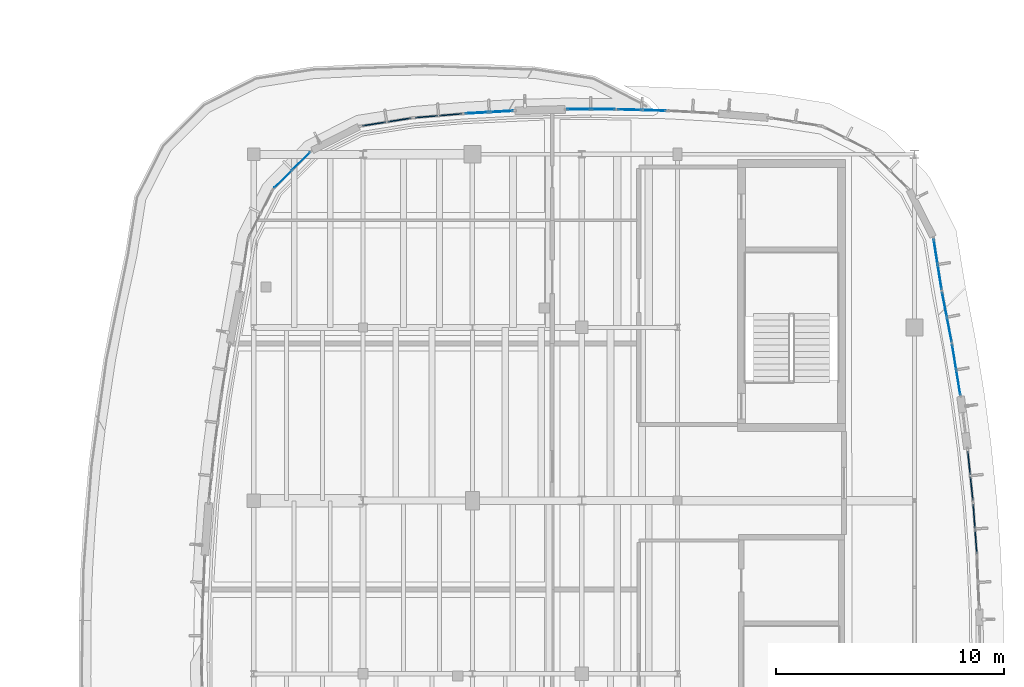
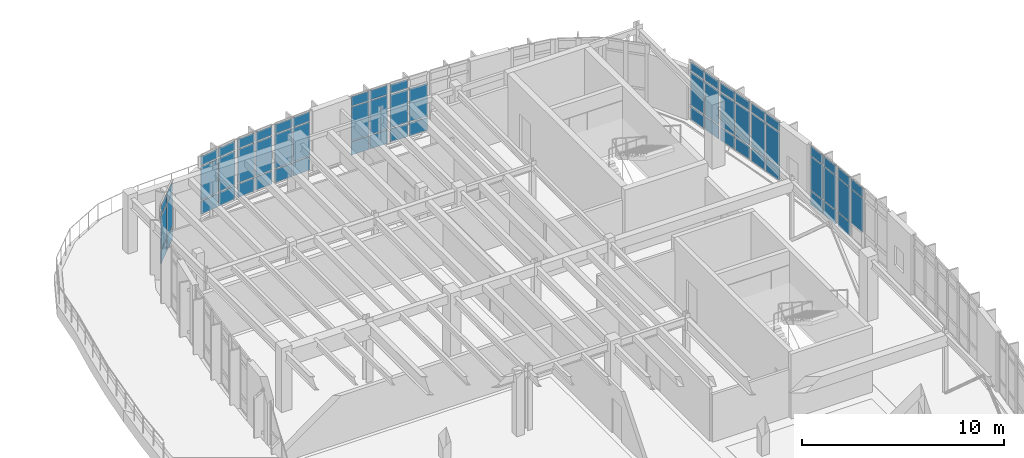
# One storey, part 74 of 105: 64 plates, 11 elements without a shape of their own.
"""IFC4 building model written with IfcOpenShell, lengths in metres."""

from ifc_helpers import new_model, si_unit, direction, frame, origin, origin_2d, place, context, subcontext, project, spatial, rectangle, extrude, material, layer, layer_set, type_object, element, aggregate, save


model = new_model("IFC4")

# Units and contexts
model_context = context("Model", 3, precision=1e-05, world=origin(), true_north=direction((0.0, 1.0)))
body_context = subcontext(model_context, "Body", "Model", "MODEL_VIEW")
ifc_project = project(units=[si_unit("LENGTHUNIT", "METRE"), si_unit("AREAUNIT", "SQUARE_METRE"), si_unit("VOLUMEUNIT", "CUBIC_METRE"), si_unit("PLANEANGLEUNIT", "RADIAN"), si_unit("MASSUNIT", "GRAM", prefix="KILO")], contexts=[model_context])

# Site, building, storey
site_placement = place(None, origin())
site = spatial("IfcSite", under=ifc_project, at=site_placement, CompositionType="ELEMENT")
building_placement = place(site_placement, origin())
building = spatial("IfcBuilding", under=site, at=building_placement, Name="Corveleigh Park Community Centre", CompositionType="ELEMENT")
storey_placement = place(building_placement, frame((0.0, 0.0, 8.699951171875)))
storey = spatial("IfcBuildingStorey", under=building, at=storey_placement, Name="L02", CompositionType="ELEMENT", Elevation=8.699951171875)

# Curtain wall, plates
ifc_material_1 = material(Name="Anodised aluminium 6063-T6", Category="aluminium")
curtain_wall_type = type_object("IfcCurtainWallType", Name="CW-SYS-V4-L01", PredefinedType="NOTDEFINED", material=ifc_material_1)
curtain_wall_1_placement = place(storey_placement, origin())
curtain_wall_1 = element("IfcCurtainWall", 1, at=curtain_wall_1_placement, inside=storey, type_object=curtain_wall_type, Name="V4 L02 Curtain Wall 373", PredefinedType="NOTDEFINED")
ifc_material_2 = material(Name="Low-E double glazing", Category="glass")
ifc_layer_1 = layer(ifc_material_2, 0.02392578125, Name="Low-E double glazing", Category="glass")
ifc_layer_set_1 = layer_set([ifc_layer_1], Name="Low-E double glazing")
plate_type_1 = type_object("IfcPlateType", Name="CWP-GLZ-24", PredefinedType="CURTAIN_PANEL", material=ifc_layer_set_1)
plate_1_placement = place(storey_placement, frame((170.140869140625, 95.29931640625, 0.070068359375), z_axis=(0.0, 0.0, 1.0), x_axis=(0.160772991165, -0.986991410962, 0.0)))
plate_1 = element("IfcPlate", 2, at=plate_1_placement, type_object=plate_type_1, Name="CW08 panel 1.1", PredefinedType="CURTAIN_PANEL", context=body_context, shape_type="SweptSolid", body=[
    extrude(rectangle(XDim=1.0732421875, YDim=0.02392578125, at=origin_2d()), origin(), (0.0, 0.0, 1.0), 0.794921875),
])
plate_2_placement = place(storey_placement, frame((170.140869140625, 95.29931640625, 0.93505859375), z_axis=(0.0, 0.0, 1.0), x_axis=(0.160772991165, -0.986991410962, 0.0)))
plate_2 = element("IfcPlate", 3, at=plate_2_placement, type_object=plate_type_1, Name="CW08 panel 1.2", PredefinedType="CURTAIN_PANEL", context=body_context, shape_type="SweptSolid", body=[
    extrude(rectangle(XDim=1.0732421875, YDim=0.02392578125, at=origin_2d()), origin(), (0.0, 0.0, 1.0), 2.02197265625),
])
plate_3_placement = place(storey_placement, frame((170.140869140625, 95.29931640625, 3.027099609375), z_axis=(0.0, 0.0, 1.0), x_axis=(0.160772991165, -0.986991410962, 0.0)))
plate_3 = element("IfcPlate", 4, at=plate_3_placement, type_object=plate_type_1, Name="CW08 panel 1.3", PredefinedType="CURTAIN_PANEL", context=body_context, shape_type="SweptSolid", body=[
    extrude(rectangle(XDim=1.0732421875, YDim=0.02392578125, at=origin_2d()), origin(), (0.0, 0.0, 1.0), 0.544921875),
])
plate_4_placement = place(storey_placement, frame((170.322998046875, 94.180908203125, 0.070068359375), z_axis=(0.0, 0.0, 1.0), x_axis=(0.160772991165, -0.986991410962, 0.0)))
plate_4 = element("IfcPlate", 5, at=plate_4_placement, type_object=plate_type_1, Name="CW08 panel 2.1", PredefinedType="CURTAIN_PANEL", context=body_context, shape_type="SweptSolid", body=[
    extrude(rectangle(XDim=1.0732421875, YDim=0.02392578125, at=origin_2d()), origin(), (0.0, 0.0, 1.0), 0.794921875),
])
plate_5_placement = place(storey_placement, frame((170.322998046875, 94.180908203125, 0.93505859375), z_axis=(0.0, 0.0, 1.0), x_axis=(0.160772991165, -0.986991410962, 0.0)))
plate_5 = element("IfcPlate", 6, at=plate_5_placement, type_object=plate_type_1, Name="CW08 panel 2.2", PredefinedType="CURTAIN_PANEL", context=body_context, shape_type="SweptSolid", body=[
    extrude(rectangle(XDim=1.0732421875, YDim=0.02392578125, at=origin_2d()), origin(), (0.0, 0.0, 1.0), 2.02197265625),
])
plate_6_placement = place(storey_placement, frame((170.322998046875, 94.180908203125, 3.027099609375), z_axis=(0.0, 0.0, 1.0), x_axis=(0.160772991165, -0.986991410962, 0.0)))
plate_6 = element("IfcPlate", 7, at=plate_6_placement, type_object=plate_type_1, Name="CW08 panel 2.3", PredefinedType="CURTAIN_PANEL", context=body_context, shape_type="SweptSolid", body=[
    extrude(rectangle(XDim=1.0732421875, YDim=0.02392578125, at=origin_2d()), origin(), (0.0, 0.0, 1.0), 0.544921875),
])
aggregate(curtain_wall_1, [plate_1, plate_2, plate_3, plate_4, plate_5, plate_6])

curtain_wall_2_placement = place(storey_placement, origin())
curtain_wall_2 = element("IfcCurtainWall", 8, at=curtain_wall_2_placement, inside=storey, type_object=curtain_wall_type, Name="V4 L02 Curtain Wall 374", PredefinedType="NOTDEFINED")
plate_7_placement = place(storey_placement, frame((169.715087890625, 97.603759765625, 0.074951171875), z_axis=(0.0, 0.0, 1.0), x_axis=(0.189086474176, -0.981960439775, 0.0)))
plate_7 = element("IfcPlate", 9, at=plate_7_placement, type_object=plate_type_1, Name="CW08 panel 1.1", PredefinedType="CURTAIN_PANEL", context=body_context, shape_type="SweptSolid", body=[
    extrude(rectangle(XDim=1.06591796875, YDim=0.02392578125, at=origin_2d()), origin(), (0.0, 0.0, 1.0), 0.78759765625),
])
plate_8_placement = place(storey_placement, frame((169.715087890625, 97.603759765625, 0.9375), z_axis=(0.0, 0.0, 1.0), x_axis=(0.189086474176, -0.981960439775, 0.0)))
plate_8 = element("IfcPlate", 10, at=plate_8_placement, type_object=plate_type_1, Name="CW08 panel 1.2", PredefinedType="CURTAIN_PANEL", context=body_context, shape_type="SweptSolid", body=[
    extrude(rectangle(XDim=1.06591796875, YDim=0.02392578125, at=origin_2d()), origin(), (0.0, 0.0, 1.0), 2.01708984375),
])
plate_9_placement = place(storey_placement, frame((169.715087890625, 97.603759765625, 3.029541015625), z_axis=(0.0, 0.0, 1.0), x_axis=(0.189086474176, -0.981960439775, 0.0)))
plate_9 = element("IfcPlate", 11, at=plate_9_placement, type_object=plate_type_1, Name="CW08 panel 1.3", PredefinedType="CURTAIN_PANEL", context=body_context, shape_type="SweptSolid", body=[
    extrude(rectangle(XDim=1.06591796875, YDim=0.02392578125, at=origin_2d()), origin(), (0.0, 0.0, 1.0), 0.53759765625),
])
plate_10_placement = place(storey_placement, frame((169.928955078125, 96.4931640625, 0.074951171875), z_axis=(0.0, 0.0, 1.0), x_axis=(0.189086474176, -0.981960439775, 0.0)))
plate_10 = element("IfcPlate", 12, at=plate_10_placement, type_object=plate_type_1, Name="CW08 panel 2.1", PredefinedType="CURTAIN_PANEL", context=body_context, shape_type="SweptSolid", body=[
    extrude(rectangle(XDim=1.06591796875, YDim=0.02392578125, at=origin_2d()), origin(), (0.0, 0.0, 1.0), 0.78759765625),
])
plate_11_placement = place(storey_placement, frame((169.928955078125, 96.4931640625, 0.9375), z_axis=(0.0, 0.0, 1.0), x_axis=(0.189086474176, -0.981960439775, 0.0)))
plate_11 = element("IfcPlate", 13, at=plate_11_placement, type_object=plate_type_1, Name="CW08 panel 2.2", PredefinedType="CURTAIN_PANEL", context=body_context, shape_type="SweptSolid", body=[
    extrude(rectangle(XDim=1.06591796875, YDim=0.02392578125, at=origin_2d()), origin(), (0.0, 0.0, 1.0), 2.01708984375),
])
plate_12_placement = place(storey_placement, frame((169.928955078125, 96.4931640625, 3.029541015625), z_axis=(0.0, 0.0, 1.0), x_axis=(0.189086474176, -0.981960439775, 0.0)))
plate_12 = element("IfcPlate", 14, at=plate_12_placement, type_object=plate_type_1, Name="CW08 panel 2.3", PredefinedType="CURTAIN_PANEL", context=body_context, shape_type="SweptSolid", body=[
    extrude(rectangle(XDim=1.06591796875, YDim=0.02392578125, at=origin_2d()), origin(), (0.0, 0.0, 1.0), 0.53759765625),
])
aggregate(curtain_wall_2, [plate_7, plate_8, plate_9, plate_10, plate_11, plate_12])

curtain_wall_3_placement = place(storey_placement, origin())
curtain_wall_3 = element("IfcCurtainWall", 15, at=curtain_wall_3_placement, inside=storey, type_object=curtain_wall_type, Name="V4 L02 Curtain Wall 385", PredefinedType="NOTDEFINED")
plate_13_placement = place(storey_placement, frame((140.695556640625, 103.111572265625, 0.080078125), z_axis=(0.0, 0.0, 1.0), x_axis=(0.707106781187, 0.707106781187, 0.0)))
plate_13 = element("IfcPlate", 16, at=plate_13_placement, type_object=plate_type_1, Name="CW08 panel 1.1", PredefinedType="CURTAIN_PANEL", context=body_context, shape_type="SweptSolid", body=[
    extrude(rectangle(XDim=1.061279296875, YDim=0.02392578125, at=origin_2d()), origin(), (0.0, 0.0, 1.0), 0.780029296875),
])
plate_14_placement = place(storey_placement, frame((140.695556640625, 103.111572265625, 0.93994140625), z_axis=(0.0, 0.0, 1.0), x_axis=(0.707106781187, 0.707106781187, 0.0)))
plate_14 = element("IfcPlate", 17, at=plate_14_placement, type_object=plate_type_1, Name="CW08 panel 1.2", PredefinedType="CURTAIN_PANEL", context=body_context, shape_type="SweptSolid", body=[
    extrude(rectangle(XDim=1.061279296875, YDim=0.02392578125, at=origin_2d()), origin(), (0.0, 0.0, 1.0), 2.007080078125),
])
plate_15_placement = place(storey_placement, frame((140.695556640625, 103.111572265625, 3.02685546875), z_axis=(0.0, 0.0, 1.0), x_axis=(0.707106781187, 0.707106781187, 0.0)))
plate_15 = element("IfcPlate", 18, at=plate_15_placement, type_object=plate_type_1, Name="CW08 panel 1.3", PredefinedType="CURTAIN_PANEL", context=body_context, shape_type="SweptSolid", body=[
    extrude(rectangle(XDim=1.061279296875, YDim=0.02392578125, at=origin_2d()), origin(), (0.0, 0.0, 1.0), 0.530029296875),
])
plate_16_placement = place(storey_placement, frame((141.48828125, 103.904296875, 0.080078125), z_axis=(0.0, 0.0, 1.0), x_axis=(0.707106781187, 0.707106781187, 0.0)))
plate_16 = element("IfcPlate", 19, at=plate_16_placement, type_object=plate_type_1, Name="CW08 panel 2.1", PredefinedType="CURTAIN_PANEL", context=body_context, shape_type="SweptSolid", body=[
    extrude(rectangle(XDim=1.061279296875, YDim=0.02392578125, at=origin_2d()), origin(), (0.0, 0.0, 1.0), 0.780029296875),
])
plate_17_placement = place(storey_placement, frame((141.48828125, 103.904296875, 0.93994140625), z_axis=(0.0, 0.0, 1.0), x_axis=(0.707106781187, 0.707106781187, 0.0)))
plate_17 = element("IfcPlate", 20, at=plate_17_placement, type_object=plate_type_1, Name="CW08 panel 2.2", PredefinedType="CURTAIN_PANEL", context=body_context, shape_type="SweptSolid", body=[
    extrude(rectangle(XDim=1.061279296875, YDim=0.02392578125, at=origin_2d()), origin(), (0.0, 0.0, 1.0), 2.007080078125),
])
plate_18_placement = place(storey_placement, frame((141.48828125, 103.904296875, 3.02685546875), z_axis=(0.0, 0.0, 1.0), x_axis=(0.707106781187, 0.707106781187, 0.0)))
plate_18 = element("IfcPlate", 21, at=plate_18_placement, type_object=plate_type_1, Name="CW08 panel 2.3", PredefinedType="CURTAIN_PANEL", context=body_context, shape_type="SweptSolid", body=[
    extrude(rectangle(XDim=1.061279296875, YDim=0.02392578125, at=origin_2d()), origin(), (0.0, 0.0, 1.0), 0.530029296875),
])
aggregate(curtain_wall_3, [plate_13, plate_14, plate_15, plate_16, plate_17, plate_18])

curtain_wall_4_placement = place(storey_placement, origin())
curtain_wall_4 = element("IfcCurtainWall", 22, at=curtain_wall_4_placement, inside=storey, type_object=curtain_wall_type, Name="V4 L02 Curtain Wall 375", PredefinedType="NOTDEFINED")
ifc_layer_2 = layer(ifc_material_2, 0.028076171875, Name="Low-E double glazing", Category="glass")
ifc_layer_set_2 = layer_set([ifc_layer_2], Name="Low-E double glazing")
plate_type_2 = type_object("IfcPlateType", Name="CWP-GLZ-28", PredefinedType="CURTAIN_PANEL", material=ifc_layer_set_2)
plate_19_placement = place(storey_placement, frame((169.327880859375, 99.918212890625, 0.080078125), z_axis=(0.0, 0.0, 1.0), x_axis=(0.156601470208, -0.987661875101, 0.0)))
plate_19 = element("IfcPlate", 23, at=plate_19_placement, type_object=plate_type_2, Name="CW08 panel 1.1", PredefinedType="CURTAIN_PANEL", context=body_context, shape_type="SweptSolid", body=[
    extrude(rectangle(XDim=1.060302734375, YDim=0.028076171875, at=origin_2d()), origin(), (0.0, 0.0, 1.0), 0.780029296875),
])
plate_20_placement = place(storey_placement, frame((169.327880859375, 99.918212890625, 0.93994140625), z_axis=(0.0, 0.0, 1.0), x_axis=(0.156601470208, -0.987661875101, 0.0)))
plate_20 = element("IfcPlate", 24, at=plate_20_placement, type_object=plate_type_2, Name="CW08 panel 1.2", PredefinedType="CURTAIN_PANEL", context=body_context, shape_type="SweptSolid", body=[
    extrude(rectangle(XDim=1.060302734375, YDim=0.028076171875, at=origin_2d()), origin(), (0.0, 0.0, 1.0), 2.011962890625),
])
plate_21_placement = place(storey_placement, frame((169.327880859375, 99.918212890625, 3.0322265625), z_axis=(0.0, 0.0, 1.0), x_axis=(0.156601470208, -0.987661875101, 0.0)))
plate_21 = element("IfcPlate", 25, at=plate_21_placement, type_object=plate_type_2, Name="CW08 panel 1.3", PredefinedType="CURTAIN_PANEL", context=body_context, shape_type="SweptSolid", body=[
    extrude(rectangle(XDim=1.060302734375, YDim=0.028076171875, at=origin_2d()), origin(), (0.0, 0.0, 1.0), 0.530029296875),
])
plate_22_placement = place(storey_placement, frame((169.505126953125, 98.8017578125, 0.080078125), z_axis=(0.0, 0.0, 1.0), x_axis=(0.156601470208, -0.987661875101, 0.0)))
plate_22 = element("IfcPlate", 26, at=plate_22_placement, type_object=plate_type_2, Name="CW08 panel 2.1", PredefinedType="CURTAIN_PANEL", context=body_context, shape_type="SweptSolid", body=[
    extrude(rectangle(XDim=1.060302734375, YDim=0.028076171875, at=origin_2d()), origin(), (0.0, 0.0, 1.0), 0.780029296875),
])
plate_23_placement = place(storey_placement, frame((169.505126953125, 98.8017578125, 0.93994140625), z_axis=(0.0, 0.0, 1.0), x_axis=(0.156601470208, -0.987661875101, 0.0)))
plate_23 = element("IfcPlate", 27, at=plate_23_placement, type_object=plate_type_2, Name="CW08 panel 2.2", PredefinedType="CURTAIN_PANEL", context=body_context, shape_type="SweptSolid", body=[
    extrude(rectangle(XDim=1.060302734375, YDim=0.028076171875, at=origin_2d()), origin(), (0.0, 0.0, 1.0), 2.011962890625),
])
plate_24_placement = place(storey_placement, frame((169.505126953125, 98.8017578125, 3.0322265625), z_axis=(0.0, 0.0, 1.0), x_axis=(0.156601470208, -0.987661875101, 0.0)))
plate_24 = element("IfcPlate", 28, at=plate_24_placement, type_object=plate_type_2, Name="CW08 panel 2.3", PredefinedType="CURTAIN_PANEL", context=body_context, shape_type="SweptSolid", body=[
    extrude(rectangle(XDim=1.060302734375, YDim=0.028076171875, at=origin_2d()), origin(), (0.0, 0.0, 1.0), 0.530029296875),
])
aggregate(curtain_wall_4, [plate_19, plate_20, plate_21, plate_22, plate_23, plate_24])

curtain_wall_5_placement = place(storey_placement, origin())
curtain_wall_5 = element("IfcCurtainWall", 29, at=curtain_wall_5_placement, inside=storey, type_object=curtain_wall_type, Name="V4 L02 Curtain Wall 380", PredefinedType="NOTDEFINED")
ifc_layer_3 = layer(ifc_material_2, 0.035888671875, Name="Low-E double glazing", Category="glass")
ifc_layer_set_3 = layer_set([ifc_layer_3], Name="Low-E double glazing")
plate_type_3 = type_object("IfcPlateType", Name="CWP-GLZ-36", PredefinedType="CURTAIN_PANEL", material=ifc_layer_set_3)
plate_25_placement = place(storey_placement, frame((155.89453125, 106.153076171875, 0.080078125), z_axis=(0.0, 0.0, 1.0), x_axis=(0.999607775259, -0.028005278833, 0.0)))
plate_25 = element("IfcPlate", 30, at=plate_25_placement, type_object=plate_type_3, Name="CW08 panel 1.1", PredefinedType="CURTAIN_PANEL", context=body_context, shape_type="SweptSolid", body=[
    extrude(rectangle(XDim=1.009521484375, YDim=0.035888671875, at=origin_2d()), origin(), (0.0, 0.0, 1.0), 0.780029296875),
])
plate_26_placement = place(storey_placement, frame((155.89453125, 106.153076171875, 0.940185546875), z_axis=(0.0, 0.0, 1.0), x_axis=(0.999607775259, -0.028005278833, 0.0)))
plate_26 = element("IfcPlate", 31, at=plate_26_placement, type_object=plate_type_3, Name="CW08 panel 1.2", PredefinedType="CURTAIN_PANEL", context=body_context, shape_type="SweptSolid", body=[
    extrude(rectangle(XDim=1.009521484375, YDim=0.035888671875, at=origin_2d()), origin(), (0.0, 0.0, 1.0), 1.98193359375),
])
plate_27_placement = place(storey_placement, frame((155.89453125, 106.153076171875, 3.001953125), z_axis=(0.0, 0.0, 1.0), x_axis=(0.999607775259, -0.028005278833, 0.0)))
plate_27 = element("IfcPlate", 32, at=plate_27_placement, type_object=plate_type_3, Name="CW08 panel 1.3", PredefinedType="CURTAIN_PANEL", context=body_context, shape_type="SweptSolid", body=[
    extrude(rectangle(XDim=1.009521484375, YDim=0.035888671875, at=origin_2d()), origin(), (0.0, 0.0, 1.0), 0.530029296875),
])
plate_28_placement = place(storey_placement, frame((156.968505859375, 106.123046875, 0.080078125), z_axis=(0.0, 0.0, 1.0), x_axis=(0.999607775259, -0.028005278833, 0.0)))
plate_28 = element("IfcPlate", 33, at=plate_28_placement, type_object=plate_type_3, Name="CW08 panel 2.1", PredefinedType="CURTAIN_PANEL", context=body_context, shape_type="SweptSolid", body=[
    extrude(rectangle(XDim=1.009521484375, YDim=0.035888671875, at=origin_2d()), origin(), (0.0, 0.0, 1.0), 0.780029296875),
])
plate_29_placement = place(storey_placement, frame((156.968505859375, 106.123046875, 0.940185546875), z_axis=(0.0, 0.0, 1.0), x_axis=(0.999607775259, -0.028005278833, 0.0)))
plate_29 = element("IfcPlate", 34, at=plate_29_placement, type_object=plate_type_3, Name="CW08 panel 2.2", PredefinedType="CURTAIN_PANEL", context=body_context, shape_type="SweptSolid", body=[
    extrude(rectangle(XDim=1.009521484375, YDim=0.035888671875, at=origin_2d()), origin(), (0.0, 0.0, 1.0), 1.98193359375),
])
aggregate(curtain_wall_5, [plate_25, plate_26, plate_27, plate_28, plate_29])

curtain_wall_6_placement = place(storey_placement, origin())
curtain_wall_6 = element("IfcCurtainWall", 35, at=curtain_wall_6_placement, inside=storey, type_object=curtain_wall_type, Name="V4 L02 Curtain Wall 381", PredefinedType="NOTDEFINED")
ifc_layer_4 = layer(ifc_material_2, 0.0400390625, Name="Low-E double glazing", Category="glass")
ifc_layer_set_4 = layer_set([ifc_layer_4], Name="Low-E double glazing")
plate_type_4 = type_object("IfcPlateType", Name="CWP-GLZ-40", PredefinedType="CURTAIN_PANEL", material=ifc_layer_set_4)
plate_30_placement = place(storey_placement, frame((153.6640625, 106.1689453125, 0.06005859375), z_axis=(0.0, 0.0, 1.0), x_axis=(1.0, 0.0, 0.0)))
plate_30 = element("IfcPlate", 36, at=plate_30_placement, type_object=plate_type_4, Name="CW08 panel 1.1", PredefinedType="CURTAIN_PANEL", context=body_context, shape_type="SweptSolid", body=[
    extrude(rectangle(XDim=1.001953125, YDim=0.0400390625, at=origin_2d()), origin(), (0.0, 0.0, 1.0), 0.81005859375),
])
plate_31_placement = place(storey_placement, frame((153.6640625, 106.1689453125, 0.93017578125), z_axis=(0.0, 0.0, 1.0), x_axis=(1.0, 0.0, 0.0)))
plate_31 = element("IfcPlate", 37, at=plate_31_placement, type_object=plate_type_4, Name="CW08 panel 1.2", PredefinedType="CURTAIN_PANEL", context=body_context, shape_type="SweptSolid", body=[
    extrude(rectangle(XDim=1.001953125, YDim=0.0400390625, at=origin_2d()), origin(), (0.0, 0.0, 1.0), 2.027099609375),
])
plate_32_placement = place(storey_placement, frame((153.6640625, 106.1689453125, 3.01708984375), z_axis=(0.0, 0.0, 1.0), x_axis=(1.0, 0.0, 0.0)))
plate_32 = element("IfcPlate", 38, at=plate_32_placement, type_object=plate_type_4, Name="CW08 panel 1.3", PredefinedType="CURTAIN_PANEL", context=body_context, shape_type="SweptSolid", body=[
    extrude(rectangle(XDim=1.001953125, YDim=0.0400390625, at=origin_2d()), origin(), (0.0, 0.0, 1.0), 0.56005859375),
])
plate_33_placement = place(storey_placement, frame((154.736083984375, 106.1689453125, 0.06005859375), z_axis=(0.0, 0.0, 1.0), x_axis=(1.0, 0.0, 0.0)))
plate_33 = element("IfcPlate", 39, at=plate_33_placement, type_object=plate_type_4, Name="CW08 panel 2.1", PredefinedType="CURTAIN_PANEL", context=body_context, shape_type="SweptSolid", body=[
    extrude(rectangle(XDim=1.001953125, YDim=0.0400390625, at=origin_2d()), origin(), (0.0, 0.0, 1.0), 0.81005859375),
])
plate_34_placement = place(storey_placement, frame((154.736083984375, 106.1689453125, 0.93017578125), z_axis=(0.0, 0.0, 1.0), x_axis=(1.0, 0.0, 0.0)))
plate_34 = element("IfcPlate", 40, at=plate_34_placement, type_object=plate_type_4, Name="CW08 panel 2.2", PredefinedType="CURTAIN_PANEL", context=body_context, shape_type="SweptSolid", body=[
    extrude(rectangle(XDim=1.001953125, YDim=0.0400390625, at=origin_2d()), origin(), (0.0, 0.0, 1.0), 2.027099609375),
])
plate_35_placement = place(storey_placement, frame((154.736083984375, 106.1689453125, 3.01708984375), z_axis=(0.0, 0.0, 1.0), x_axis=(1.0, 0.0, 0.0)))
plate_35 = element("IfcPlate", 41, at=plate_35_placement, type_object=plate_type_4, Name="CW08 panel 2.3", PredefinedType="CURTAIN_PANEL", context=body_context, shape_type="SweptSolid", body=[
    extrude(rectangle(XDim=1.001953125, YDim=0.0400390625, at=origin_2d()), origin(), (0.0, 0.0, 1.0), 0.56005859375),
])
aggregate(curtain_wall_6, [plate_30, plate_31, plate_32, plate_33, plate_34, plate_35])

curtain_wall_7_placement = place(storey_placement, origin())
curtain_wall_7 = element("IfcCurtainWall", 42, at=curtain_wall_7_placement, inside=storey, type_object=curtain_wall_type, Name="V4 L02 Curtain Wall 382", PredefinedType="NOTDEFINED")
plate_36_placement = place(storey_placement, frame((149.20458984375, 106.015869140625, 0.06494140625), z_axis=(0.0, 0.0, 1.0), x_axis=(0.998456181902, 0.055545052181, 0.0)))
plate_36 = element("IfcPlate", 43, at=plate_36_placement, type_object=plate_type_4, Name="CW08 panel 1.1", PredefinedType="CURTAIN_PANEL", context=body_context, shape_type="SweptSolid", body=[
    extrude(rectangle(XDim=0.99462890625, YDim=0.0400390625, at=origin_2d()), origin(), (0.0, 0.0, 1.0), 0.802490234375),
])
plate_37_placement = place(storey_placement, frame((149.20458984375, 106.015869140625, 0.9326171875), z_axis=(0.0, 0.0, 1.0), x_axis=(0.998456181902, 0.055545052181, 0.0)))
plate_37 = element("IfcPlate", 44, at=plate_37_placement, type_object=plate_type_4, Name="CW08 panel 1.2", PredefinedType="CURTAIN_PANEL", context=body_context, shape_type="SweptSolid", body=[
    extrude(rectangle(XDim=0.99462890625, YDim=0.0400390625, at=origin_2d()), origin(), (0.0, 0.0, 1.0), 2.02197265625),
])
plate_38_placement = place(storey_placement, frame((149.20458984375, 106.015869140625, 3.01953125), z_axis=(0.0, 0.0, 1.0), x_axis=(0.998456181902, 0.055545052181, 0.0)))
plate_38 = element("IfcPlate", 45, at=plate_38_placement, type_object=plate_type_4, Name="CW08 panel 1.3", PredefinedType="CURTAIN_PANEL", context=body_context, shape_type="SweptSolid", body=[
    extrude(rectangle(XDim=0.99462890625, YDim=0.0400390625, at=origin_2d()), origin(), (0.0, 0.0, 1.0), 0.552490234375),
])
plate_39_placement = place(storey_placement, frame((150.2724609375, 106.0751953125, 0.06494140625), z_axis=(0.0, 0.0, 1.0), x_axis=(0.998456181902, 0.055545052181, 0.0)))
plate_39 = element("IfcPlate", 46, at=plate_39_placement, type_object=plate_type_4, Name="CW08 panel 2.1", PredefinedType="CURTAIN_PANEL", context=body_context, shape_type="SweptSolid", body=[
    extrude(rectangle(XDim=0.99462890625, YDim=0.0400390625, at=origin_2d()), origin(), (0.0, 0.0, 1.0), 0.802490234375),
])
plate_40_placement = place(storey_placement, frame((150.2724609375, 106.0751953125, 0.9326171875), z_axis=(0.0, 0.0, 1.0), x_axis=(0.998456181902, 0.055545052181, 0.0)))
plate_40 = element("IfcPlate", 47, at=plate_40_placement, type_object=plate_type_4, Name="CW08 panel 2.2", PredefinedType="CURTAIN_PANEL", context=body_context, shape_type="SweptSolid", body=[
    extrude(rectangle(XDim=0.99462890625, YDim=0.0400390625, at=origin_2d()), origin(), (0.0, 0.0, 1.0), 2.02197265625),
])
plate_41_placement = place(storey_placement, frame((150.2724609375, 106.0751953125, 3.01953125), z_axis=(0.0, 0.0, 1.0), x_axis=(0.998456181902, 0.055545052181, 0.0)))
plate_41 = element("IfcPlate", 48, at=plate_41_placement, type_object=plate_type_4, Name="CW08 panel 2.3", PredefinedType="CURTAIN_PANEL", context=body_context, shape_type="SweptSolid", body=[
    extrude(rectangle(XDim=0.99462890625, YDim=0.0400390625, at=origin_2d()), origin(), (0.0, 0.0, 1.0), 0.552490234375),
])
aggregate(curtain_wall_7, [plate_36, plate_37, plate_38, plate_39, plate_40, plate_41])

curtain_wall_8_placement = place(storey_placement, origin())
curtain_wall_8 = element("IfcCurtainWall", 49, at=curtain_wall_8_placement, inside=storey, type_object=curtain_wall_type, Name="V4 L02 Curtain Wall 371", PredefinedType="NOTDEFINED")
ifc_layer_5 = layer(ifc_material_2, 0.0439453125, Name="Low-E double glazing", Category="glass")
ifc_layer_set_5 = layer_set([ifc_layer_5], Name="Low-E double glazing")
plate_type_5 = type_object("IfcPlateType", Name="CWP-GLZ-44", PredefinedType="CURTAIN_PANEL", material=ifc_layer_set_5)
plate_42_placement = place(storey_placement, frame((171.012939453125, 88.31689453125, 0.06005859375), z_axis=(0.0, 0.0, 1.0), x_axis=(0.073048610443, -0.997328381483, 0.0)))
plate_42 = element("IfcPlate", 50, at=plate_42_placement, type_object=plate_type_5, Name="CW08 panel 1.1", PredefinedType="CURTAIN_PANEL", context=body_context, shape_type="SweptSolid", body=[
    extrude(rectangle(XDim=1.043701171875, YDim=0.0439453125, at=origin_2d()), origin(), (0.0, 0.0, 1.0), 0.81005859375),
])
plate_43_placement = place(storey_placement, frame((171.012939453125, 88.31689453125, 0.93017578125), z_axis=(0.0, 0.0, 1.0), x_axis=(0.073048610443, -0.997328381483, 0.0)))
plate_43 = element("IfcPlate", 51, at=plate_43_placement, type_object=plate_type_5, Name="CW08 panel 1.2", PredefinedType="CURTAIN_PANEL", context=body_context, shape_type="SweptSolid", body=[
    extrude(rectangle(XDim=1.043701171875, YDim=0.0439453125, at=origin_2d()), origin(), (0.0, 0.0, 1.0), 2.031982421875),
])
plate_44_placement = place(storey_placement, frame((171.012939453125, 88.31689453125, 3.02197265625), z_axis=(0.0, 0.0, 1.0), x_axis=(0.073048610443, -0.997328381483, 0.0)))
plate_44 = element("IfcPlate", 52, at=plate_44_placement, type_object=plate_type_5, Name="CW08 panel 1.3", PredefinedType="CURTAIN_PANEL", context=body_context, shape_type="SweptSolid", body=[
    extrude(rectangle(XDim=1.043701171875, YDim=0.0439453125, at=origin_2d()), origin(), (0.0, 0.0, 1.0), 0.56005859375),
])
plate_45_placement = place(storey_placement, frame((171.094970703125, 87.1962890625, 0.93017578125), z_axis=(0.0, 0.0, 1.0), x_axis=(0.073048610443, -0.997328381483, 0.0)))
plate_45 = element("IfcPlate", 53, at=plate_45_placement, type_object=plate_type_5, Name="CW08 panel 2.2", PredefinedType="CURTAIN_PANEL", context=body_context, shape_type="SweptSolid", body=[
    extrude(rectangle(XDim=1.043701171875, YDim=0.0439453125, at=origin_2d()), origin(), (0.0, 0.0, 1.0), 2.031982421875),
])
plate_46_placement = place(storey_placement, frame((171.094970703125, 87.1962890625, 3.02197265625), z_axis=(0.0, 0.0, 1.0), x_axis=(0.073048610443, -0.997328381483, 0.0)))
plate_46 = element("IfcPlate", 54, at=plate_46_placement, type_object=plate_type_5, Name="CW08 panel 2.3", PredefinedType="CURTAIN_PANEL", context=body_context, shape_type="SweptSolid", body=[
    extrude(rectangle(XDim=1.043701171875, YDim=0.0439453125, at=origin_2d()), origin(), (0.0, 0.0, 1.0), 0.56005859375),
])
aggregate(curtain_wall_8, [plate_42, plate_43, plate_44, plate_45, plate_46])

curtain_wall_9_placement = place(storey_placement, origin())
curtain_wall_9 = element("IfcCurtainWall", 55, at=curtain_wall_9_placement, inside=storey, type_object=curtain_wall_type, Name="V4 L02 Curtain Wall 372", PredefinedType="NOTDEFINED")
plate_47_placement = place(storey_placement, frame((170.790771484375, 90.6494140625, 0.06494140625), z_axis=(0.0, 0.0, 1.0), x_axis=(0.102312467526, -0.994752310371, 0.0)))
plate_47 = element("IfcPlate", 56, at=plate_47_placement, type_object=plate_type_5, Name="CW08 panel 1.1", PredefinedType="CURTAIN_PANEL", context=body_context, shape_type="SweptSolid", body=[
    extrude(rectangle(XDim=1.03564453125, YDim=0.0439453125, at=origin_2d()), origin(), (0.0, 0.0, 1.0), 0.802490234375),
])
plate_48_placement = place(storey_placement, frame((170.790771484375, 90.6494140625, 0.9326171875), z_axis=(0.0, 0.0, 1.0), x_axis=(0.102312467526, -0.994752310371, 0.0)))
plate_48 = element("IfcPlate", 57, at=plate_48_placement, type_object=plate_type_5, Name="CW08 panel 1.2", PredefinedType="CURTAIN_PANEL", context=body_context, shape_type="SweptSolid", body=[
    extrude(rectangle(XDim=1.03564453125, YDim=0.0439453125, at=origin_2d()), origin(), (0.0, 0.0, 1.0), 2.027099609375),
])
plate_49_placement = place(storey_placement, frame((170.790771484375, 90.6494140625, 3.0244140625), z_axis=(0.0, 0.0, 1.0), x_axis=(0.102312467526, -0.994752310371, 0.0)))
plate_49 = element("IfcPlate", 58, at=plate_49_placement, type_object=plate_type_5, Name="CW08 panel 1.3", PredefinedType="CURTAIN_PANEL", context=body_context, shape_type="SweptSolid", body=[
    extrude(rectangle(XDim=1.03564453125, YDim=0.0439453125, at=origin_2d()), origin(), (0.0, 0.0, 1.0), 0.552490234375),
])
plate_50_placement = place(storey_placement, frame((170.9052734375, 89.53466796875, 0.06494140625), z_axis=(0.0, 0.0, 1.0), x_axis=(0.102312467526, -0.994752310371, 0.0)))
plate_50 = element("IfcPlate", 59, at=plate_50_placement, type_object=plate_type_5, Name="CW08 panel 2.1", PredefinedType="CURTAIN_PANEL", context=body_context, shape_type="SweptSolid", body=[
    extrude(rectangle(XDim=1.03564453125, YDim=0.0439453125, at=origin_2d()), origin(), (0.0, 0.0, 1.0), 0.802490234375),
])
plate_51_placement = place(storey_placement, frame((170.9052734375, 89.53466796875, 0.9326171875), z_axis=(0.0, 0.0, 1.0), x_axis=(0.102312467526, -0.994752310371, 0.0)))
plate_51 = element("IfcPlate", 60, at=plate_51_placement, type_object=plate_type_5, Name="CW08 panel 2.2", PredefinedType="CURTAIN_PANEL", context=body_context, shape_type="SweptSolid", body=[
    extrude(rectangle(XDim=1.03564453125, YDim=0.0439453125, at=origin_2d()), origin(), (0.0, 0.0, 1.0), 2.027099609375),
])
plate_52_placement = place(storey_placement, frame((170.9052734375, 89.53466796875, 3.0244140625), z_axis=(0.0, 0.0, 1.0), x_axis=(0.102312467526, -0.994752310371, 0.0)))
plate_52 = element("IfcPlate", 61, at=plate_52_placement, type_object=plate_type_5, Name="CW08 panel 2.3", PredefinedType="CURTAIN_PANEL", context=body_context, shape_type="SweptSolid", body=[
    extrude(rectangle(XDim=1.03564453125, YDim=0.0439453125, at=origin_2d()), origin(), (0.0, 0.0, 1.0), 0.552490234375),
])
aggregate(curtain_wall_9, [plate_47, plate_48, plate_49, plate_50, plate_51, plate_52])

curtain_wall_10_placement = place(storey_placement, origin())
curtain_wall_10 = element("IfcCurtainWall", 62, at=curtain_wall_10_placement, inside=storey, type_object=curtain_wall_type, Name="V4 L02 Curtain Wall 383", PredefinedType="NOTDEFINED")
plate_53_placement = place(storey_placement, frame((146.9833984375, 105.84814453125, 0.070068359375), z_axis=(0.0, 0.0, 1.0), x_axis=(0.996601713686, 0.082371258806, 0.0)))
plate_53 = element("IfcPlate", 63, at=plate_53_placement, type_object=plate_type_5, Name="CW08 panel 1.1", PredefinedType="CURTAIN_PANEL", context=body_context, shape_type="SweptSolid", body=[
    extrude(rectangle(XDim=0.98486328125, YDim=0.0439453125, at=origin_2d()), origin(), (0.0, 0.0, 1.0), 0.794921875),
])
plate_54_placement = place(storey_placement, frame((146.9833984375, 105.84814453125, 0.93505859375), z_axis=(0.0, 0.0, 1.0), x_axis=(0.996601713686, 0.082371258806, 0.0)))
plate_54 = element("IfcPlate", 64, at=plate_54_placement, type_object=plate_type_5, Name="CW08 panel 1.2", PredefinedType="CURTAIN_PANEL", context=body_context, shape_type="SweptSolid", body=[
    extrude(rectangle(XDim=0.98486328125, YDim=0.0439453125, at=origin_2d()), origin(), (0.0, 0.0, 1.0), 2.01708984375),
])
plate_55_placement = place(storey_placement, frame((146.9833984375, 105.84814453125, 3.02197265625), z_axis=(0.0, 0.0, 1.0), x_axis=(0.996601713686, 0.082371258806, 0.0)))
plate_55 = element("IfcPlate", 65, at=plate_55_placement, type_object=plate_type_5, Name="CW08 panel 1.3", PredefinedType="CURTAIN_PANEL", context=body_context, shape_type="SweptSolid", body=[
    extrude(rectangle(XDim=0.98486328125, YDim=0.0439453125, at=origin_2d()), origin(), (0.0, 0.0, 1.0), 0.544921875),
])
plate_56_placement = place(storey_placement, frame((148.044677734375, 105.935791015625, 0.070068359375), z_axis=(0.0, 0.0, 1.0), x_axis=(0.996601713686, 0.082371258806, 0.0)))
plate_56 = element("IfcPlate", 66, at=plate_56_placement, type_object=plate_type_5, Name="CW08 panel 2.1", PredefinedType="CURTAIN_PANEL", context=body_context, shape_type="SweptSolid", body=[
    extrude(rectangle(XDim=0.98486328125, YDim=0.0439453125, at=origin_2d()), origin(), (0.0, 0.0, 1.0), 0.794921875),
])
plate_57_placement = place(storey_placement, frame((148.044677734375, 105.935791015625, 0.93505859375), z_axis=(0.0, 0.0, 1.0), x_axis=(0.996601713686, 0.082371258806, 0.0)))
plate_57 = element("IfcPlate", 67, at=plate_57_placement, type_object=plate_type_5, Name="CW08 panel 2.2", PredefinedType="CURTAIN_PANEL", context=body_context, shape_type="SweptSolid", body=[
    extrude(rectangle(XDim=0.98486328125, YDim=0.0439453125, at=origin_2d()), origin(), (0.0, 0.0, 1.0), 2.01708984375),
])
plate_58_placement = place(storey_placement, frame((148.044677734375, 105.935791015625, 3.02197265625), z_axis=(0.0, 0.0, 1.0), x_axis=(0.996601713686, 0.082371258806, 0.0)))
plate_58 = element("IfcPlate", 68, at=plate_58_placement, type_object=plate_type_5, Name="CW08 panel 2.3", PredefinedType="CURTAIN_PANEL", context=body_context, shape_type="SweptSolid", body=[
    extrude(rectangle(XDim=0.98486328125, YDim=0.0439453125, at=origin_2d()), origin(), (0.0, 0.0, 1.0), 0.544921875),
])
aggregate(curtain_wall_10, [plate_53, plate_54, plate_55, plate_56, plate_57, plate_58])

curtain_wall_11_placement = place(storey_placement, origin())
curtain_wall_11 = element("IfcCurtainWall", 69, at=curtain_wall_11_placement, inside=storey, type_object=curtain_wall_type, Name="V4 L02 Curtain Wall 384", PredefinedType="NOTDEFINED")
plate_59_placement = place(storey_placement, frame((144.6845703125, 105.5283203125, 0.074951171875), z_axis=(0.0, 0.0, 1.0), x_axis=(0.987686178507, 0.156448115315, 0.0)))
plate_59 = element("IfcPlate", 70, at=plate_59_placement, type_object=plate_type_5, Name="CW08 panel 1.1", PredefinedType="CURTAIN_PANEL", context=body_context, shape_type="SweptSolid", body=[
    extrude(rectangle(XDim=1.035888671875, YDim=0.0439453125, at=origin_2d()), origin(), (0.0, 0.0, 1.0), 0.78759765625),
])
plate_60_placement = place(storey_placement, frame((144.6845703125, 105.5283203125, 0.9375), z_axis=(0.0, 0.0, 1.0), x_axis=(0.987686178507, 0.156448115315, 0.0)))
plate_60 = element("IfcPlate", 71, at=plate_60_placement, type_object=plate_type_5, Name="CW08 panel 1.2", PredefinedType="CURTAIN_PANEL", context=body_context, shape_type="SweptSolid", body=[
    extrude(rectangle(XDim=1.035888671875, YDim=0.0439453125, at=origin_2d()), origin(), (0.0, 0.0, 1.0), 2.011962890625),
])
plate_61_placement = place(storey_placement, frame((144.6845703125, 105.5283203125, 3.0244140625), z_axis=(0.0, 0.0, 1.0), x_axis=(0.987686178507, 0.156448115315, 0.0)))
plate_61 = element("IfcPlate", 72, at=plate_61_placement, type_object=plate_type_5, Name="CW08 panel 1.3", PredefinedType="CURTAIN_PANEL", context=body_context, shape_type="SweptSolid", body=[
    extrude(rectangle(XDim=1.035888671875, YDim=0.0439453125, at=origin_2d()), origin(), (0.0, 0.0, 1.0), 0.53759765625),
])
plate_62_placement = place(storey_placement, frame((145.79150390625, 105.70361328125, 0.074951171875), z_axis=(0.0, 0.0, 1.0), x_axis=(0.987686178507, 0.156448115315, 0.0)))
plate_62 = element("IfcPlate", 73, at=plate_62_placement, type_object=plate_type_5, Name="CW08 panel 2.1", PredefinedType="CURTAIN_PANEL", context=body_context, shape_type="SweptSolid", body=[
    extrude(rectangle(XDim=1.035888671875, YDim=0.0439453125, at=origin_2d()), origin(), (0.0, 0.0, 1.0), 0.78759765625),
])
plate_63_placement = place(storey_placement, frame((145.79150390625, 105.70361328125, 0.9375), z_axis=(0.0, 0.0, 1.0), x_axis=(0.987686178507, 0.156448115315, 0.0)))
plate_63 = element("IfcPlate", 74, at=plate_63_placement, type_object=plate_type_5, Name="CW08 panel 2.2", PredefinedType="CURTAIN_PANEL", context=body_context, shape_type="SweptSolid", body=[
    extrude(rectangle(XDim=1.035888671875, YDim=0.0439453125, at=origin_2d()), origin(), (0.0, 0.0, 1.0), 2.011962890625),
])
plate_64_placement = place(storey_placement, frame((145.79150390625, 105.70361328125, 3.0244140625), z_axis=(0.0, 0.0, 1.0), x_axis=(0.987686178507, 0.156448115315, 0.0)))
plate_64 = element("IfcPlate", 75, at=plate_64_placement, type_object=plate_type_5, Name="CW08 panel 2.3", PredefinedType="CURTAIN_PANEL", context=body_context, shape_type="SweptSolid", body=[
    extrude(rectangle(XDim=1.035888671875, YDim=0.0439453125, at=origin_2d()), origin(), (0.0, 0.0, 1.0), 0.53759765625),
])
aggregate(curtain_wall_11, [plate_59, plate_60, plate_61, plate_62, plate_63, plate_64])

save(model, "model.ifc")
